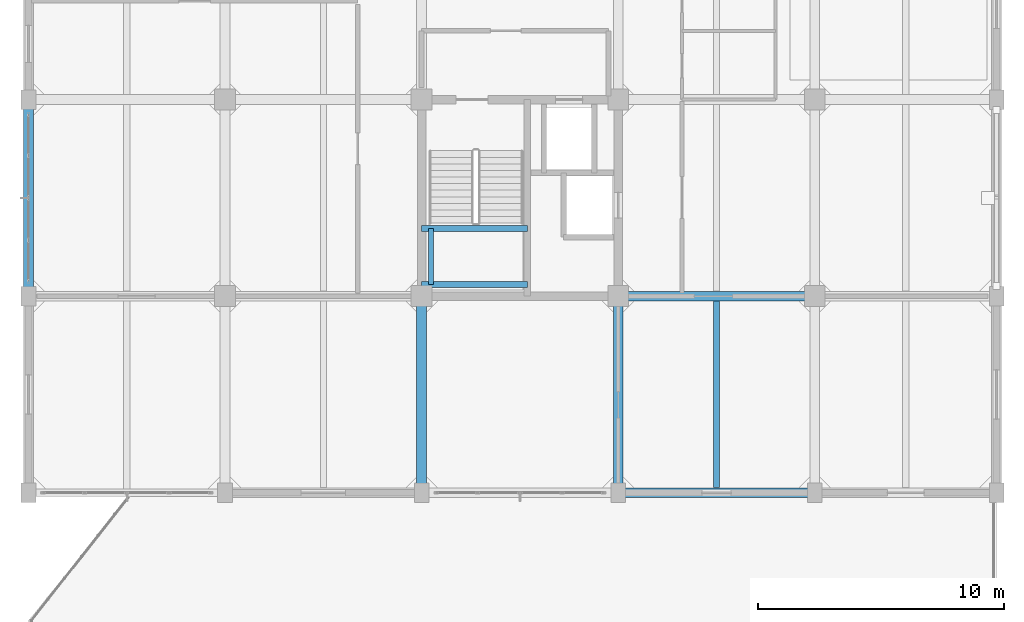
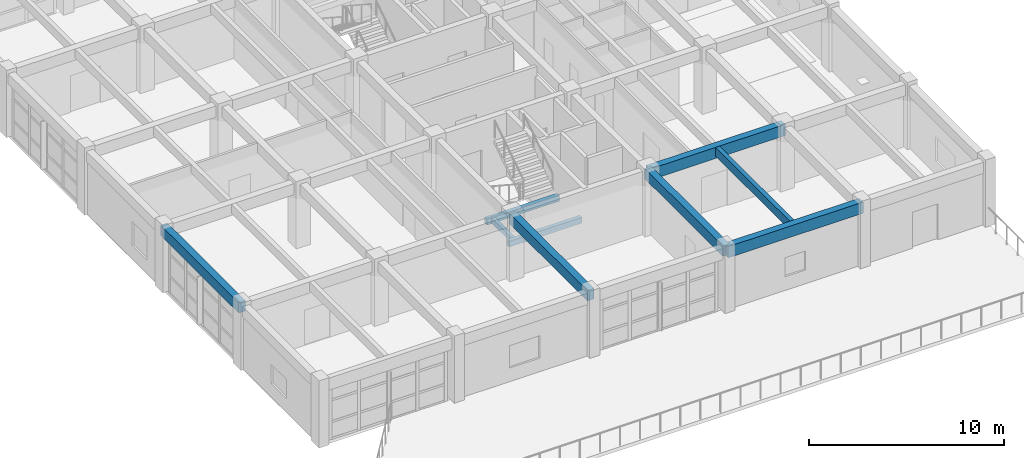
# One storey, part 7 of 30: 9 beams.
"""IFC4 building model written with IfcOpenShell, lengths in metres."""

from ifc_helpers import new_model, si_unit, direction, frame, origin, origin_2d, place, context, subcontext, project, spatial, rectangle, extrude, material, material_profile, profile_set, type_object, element, save


model = new_model("IFC4")

# Units and contexts
model_context = context("Model", 3, precision=1e-05, world=origin(), true_north=direction((0.0, 1.0)))
body_context = subcontext(model_context, "Body", "Model", "MODEL_VIEW")
ifc_project = project(units=[si_unit("LENGTHUNIT", "METRE"), si_unit("AREAUNIT", "SQUARE_METRE"), si_unit("VOLUMEUNIT", "CUBIC_METRE"), si_unit("PLANEANGLEUNIT", "RADIAN"), si_unit("MASSUNIT", "GRAM", prefix="KILO")], contexts=[model_context])

# Site, building, storey
site_placement = place(None, origin())
site = spatial("IfcSite", under=ifc_project, at=site_placement, CompositionType="ELEMENT")
building_placement = place(site_placement, origin())
building = spatial("IfcBuilding", under=site, at=building_placement, Name="Canggui Botanical Conservatory", CompositionType="ELEMENT")
storey_placement = place(building_placement, frame((0.0, 0.0, 27.60009765625)))
storey = spatial("IfcBuildingStorey", under=building, at=storey_placement, Name="L07", CompositionType="ELEMENT", Elevation=27.60009765625)

# Beams
ifc_material = material(Name="Concrete C35", Category="concrete")
ifc_material_profile_1 = material_profile(ifc_material, rectangle(XDim=0.25, YDim=0.550048828125, at=origin_2d()), Name="RB 250x550")
ifc_profile_set_1 = profile_set([ifc_material_profile_1], Name="Concrete C35")
beam_type_1 = type_object("IfcBeamType", Name="BM-JST03", PredefinedType="JOIST", material=ifc_profile_set_1)
beam_1_placement = place(storey_placement, frame((166.0, 34.205078125, 3.684814453125), z_axis=(0.0, 1.0, 0.0), x_axis=(-1.0, 0.0, 0.0)))
element("IfcBeam", 1, at=beam_1_placement, inside=storey, type_object=beam_type_1, Name="Secondary Floor Joist L07-4-1", PredefinedType="JOIST", context=body_context, shape_type="SweptSolid", body=[
    extrude(rectangle(XDim=0.25, YDim=0.550048828125, at=origin_2d()), origin(), (0.0, 0.0, 1.0), 7.58984375),
])
ifc_material_profile_2 = material_profile(ifc_material, rectangle(XDim=0.39990234375, YDim=0.699951171875, at=origin_2d()), Name="RB 400x700")
ifc_profile_set_2 = profile_set([ifc_material_profile_2], Name="Concrete C35")
beam_type_2 = type_object("IfcBeamType", Name="BM-KL11", PredefinedType="BEAM", material=ifc_profile_set_2)
for number, where, z_axis, x_axis, name in (
    (2, (162.0, 34.0, 3.60986328125), (1.0, 0.0, 0.0), (0.0, 1.0, 0.0), "Frame Girder L07 Y34-4"),
    (3, (162.0, 42.0, 3.60986328125), (1.0, 0.0, 0.0), (0.0, 1.0, 0.0), "Frame Girder L07 Y42-4"),
):
    element("IfcBeam", number, at=place(storey_placement, frame(where, z_axis=z_axis, x_axis=x_axis)), inside=storey, type_object=beam_type_2, Name=name, PredefinedType="BEAM", context=body_context, shape_type="SweptSolid", body=[
        extrude(rectangle(XDim=0.39990234375, YDim=0.699951171875, at=origin_2d()), origin(), (0.0, 0.0, 1.0), 8.0),
    ])
ifc_material_profile_3 = material_profile(ifc_material, rectangle(XDim=0.39990234375, YDim=0.64990234375, at=origin_2d()), Name="RB 400x650")
ifc_profile_set_3 = profile_set([ifc_material_profile_3], Name="Concrete C35")
beam_type_3 = type_object("IfcBeamType", Name="BM-KL12", PredefinedType="BEAM", material=ifc_profile_set_3)
for number, where, z_axis, x_axis, name in (
    (4, (138.0, 42.0, 3.635009765625), (0.0, 1.0, 0.0), (-1.0, 0.0, 0.0), "Frame Girder L07 X138-2"),
    (5, (154.0, 34.0, 3.635009765625), (0.0, 1.0, 0.0), (-1.0, 0.0, 0.0), "Frame Girder L07 X154-1"),
    (6, (162.0, 34.0, 3.635009765625), (0.0, 1.0, 0.0), (-1.0, 0.0, 0.0), "Frame Girder L07 X162-1"),
):
    element("IfcBeam", number, at=place(storey_placement, frame(where, z_axis=z_axis, x_axis=x_axis)), inside=storey, type_object=beam_type_3, Name=name, PredefinedType="BEAM", context=body_context, shape_type="SweptSolid", body=[
        extrude(rectangle(XDim=0.39990234375, YDim=0.64990234375, at=origin_2d()), origin(), (0.0, 0.0, 1.0), 8.0),
    ])
ifc_material_profile_4 = material_profile(ifc_material, rectangle(XDim=0.239990234375, YDim=0.360107421875, at=origin_2d()), Name="RB 240x360")
ifc_profile_set_4 = profile_set([ifc_material_profile_4], Name="Concrete C35")
beam_type_4 = type_object("IfcBeamType", Name="BM-LIN01", PredefinedType="LINTEL", material=ifc_profile_set_4)
for number, where, z_axis, x_axis, name in (
    (7, (154.0, 42.47998046875, 1.719970703125), (1.0, 0.0, 0.0), (0.0, 1.0, 0.0), "ST-T1 Half-Landing Ledger Beam L07-1.1"),
    (8, (154.0, 44.75244140625, 1.719970703125), (1.0, 0.0, 0.0), (0.0, 1.0, 0.0), "ST-T1 Half-Landing Ledger Beam L07-1.2"),
):
    element("IfcBeam", number, at=place(storey_placement, frame(where, z_axis=z_axis, x_axis=x_axis)), inside=storey, type_object=beam_type_4, Name=name, PredefinedType="LINTEL", context=body_context, shape_type="SweptSolid", body=[
        extrude(rectangle(XDim=0.239990234375, YDim=0.360107421875, at=origin_2d()), origin(), (0.0, 0.0, 1.0), 4.300048828125),
    ])
ifc_material_profile_5 = material_profile(ifc_material, rectangle(XDim=0.199951171875, YDim=0.320068359375, at=origin_2d()), Name="RB 200x320")
ifc_profile_set_5 = profile_set([ifc_material_profile_5], Name="Concrete C35")
beam_type_5 = type_object("IfcBeamType", Name="BM-LIN02", PredefinedType="LINTEL", material=ifc_profile_set_5)
beam_2_placement = place(storey_placement, frame((154.3798828125, 42.47998046875, 1.719970703125), z_axis=(0.0, 1.0, 0.0), x_axis=(-1.0, 0.0, 0.0)))
element("IfcBeam", 9, at=beam_2_placement, inside=storey, type_object=beam_type_5, Name="ST-T1 Half-Landing Edge Ledger L07-1.3", PredefinedType="LINTEL", context=body_context, shape_type="SweptSolid", body=[
    extrude(rectangle(XDim=0.199951171875, YDim=0.320068359375, at=origin_2d()), origin(), (0.0, 0.0, 1.0), 2.2724609375),
])

save(model, "model.ifc")
